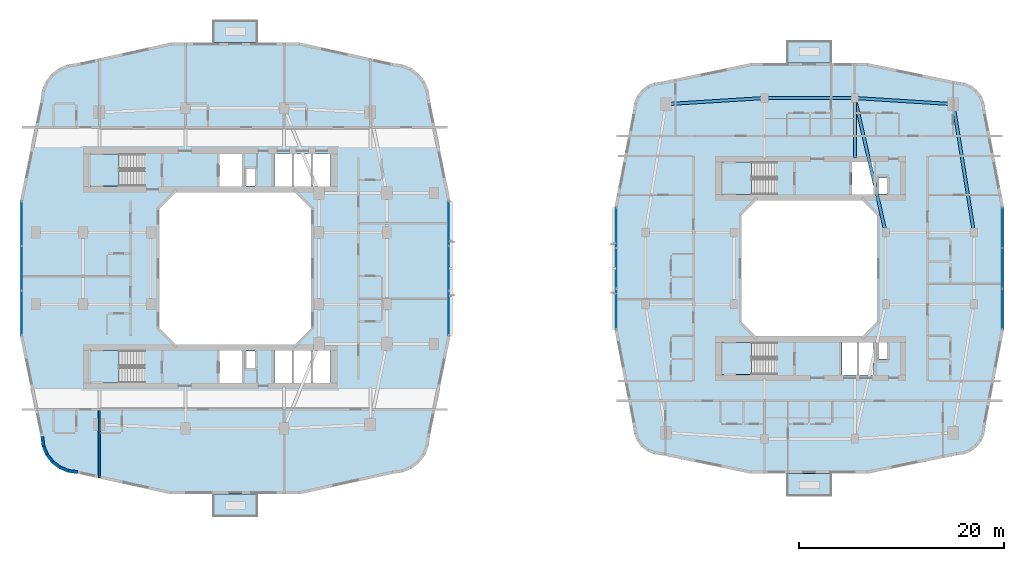
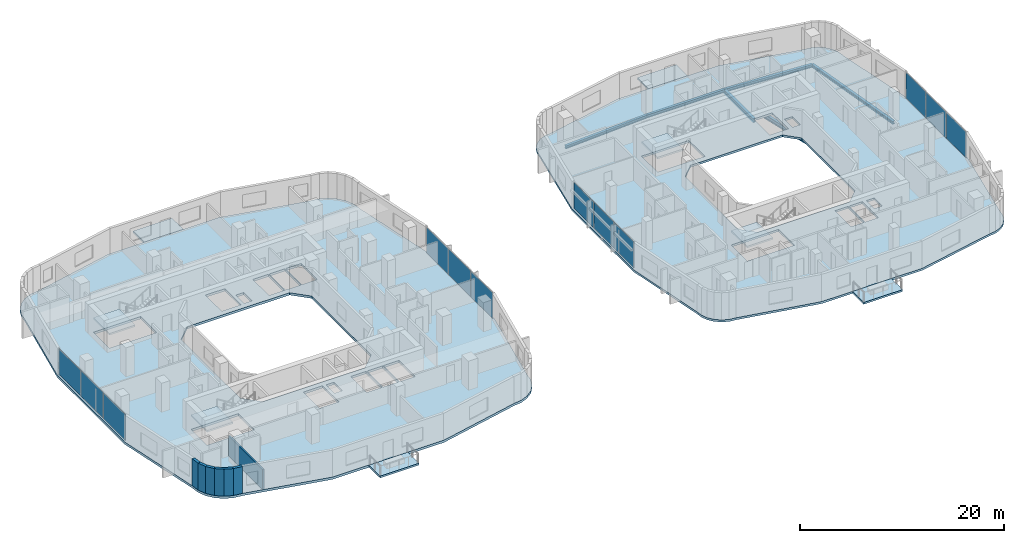
# One storey, part 7 of 22: 12 plates, 10 slabs, 7 walls, 6 beams, 8 elements without a shape of their own.
"""IFC4 building model written with IfcOpenShell, lengths in metres."""

from ifc_helpers import new_model, si_unit, derived_unit, direction, frame, frame_2d, origin, origin_2d, place, context, subcontext, project, spatial, polyline, rectangle, i_section, outline, extrude, material, layer, layer_set, material_profile, profile_set, type_object, element, aggregate, save


model = new_model("IFC4")

# Units and contexts
model_context = context("Model", 3, precision=1e-05, world=origin(), true_north=direction((0.0, 1.0)))
body_context = subcontext(model_context, "Body", "Model", "MODEL_VIEW")
ifc_project = project(units=[si_unit("LENGTHUNIT", "METRE"), si_unit("AREAUNIT", "SQUARE_METRE"), si_unit("VOLUMEUNIT", "CUBIC_METRE"), si_unit("PLANEANGLEUNIT", "RADIAN"), si_unit("MASSUNIT", "GRAM", prefix="KILO"), derived_unit("THERMALTRANSMITTANCEUNIT", [(si_unit("POWERUNIT", "WATT"), 1), (si_unit("LENGTHUNIT", "METRE"), -2), (si_unit("THERMODYNAMICTEMPERATUREUNIT", "KELVIN"), -1)])], contexts=[model_context])

# Site, building, storey
site_placement = place(None, origin())
site = spatial("IfcSite", under=ifc_project, at=site_placement, CompositionType="ELEMENT")
building_placement = place(site_placement, origin())
building = spatial("IfcBuilding", under=site, at=building_placement, Name="Kivonza Crest Hotel", CompositionType="ELEMENT")
storey_placement = place(building_placement, frame((0.0, 0.0, 27.5)))
storey = spatial("IfcBuildingStorey", under=building, at=storey_placement, Name="L06", CompositionType="ELEMENT", Elevation=27.5)

# Beams
ifc_material_1 = material(Name="Steel S355", Category="steel")
ifc_material_profile_1 = material_profile(ifc_material_1, i_section(OverallWidth=0.300048828125, OverallDepth=0.360107421875, WebThickness=0.012451171875, FlangeThickness=0.0224609375, FilletRadius=0.027099609375, at=origin_2d()), Name="HEB 360")
ifc_profile_set_1 = profile_set([ifc_material_profile_1], Name="Steel S355")
beam_type_1 = type_object("IfcBeamType", Name="BM-HEB360", PredefinedType="SPANDREL", material=ifc_profile_set_1)
beam_1_placement = place(storey_placement, frame((93.0, 28.5, -0.429931640625), z_axis=(-0.157990501107, 0.987440631917, 0.0), x_axis=(-0.987440631917, -0.157990501107, 0.0)))
element("IfcBeam", 1, at=beam_1_placement, inside=storey, type_object=beam_type_1, Name="Companion Tower T2 L06 perimeter spandrel E2-NE", PredefinedType="SPANDREL", context=body_context, shape_type="SweptSolid", body=[
    extrude(i_section(OverallWidth=0.300048828125, OverallDepth=0.360107421875, WebThickness=0.012451171875, FlangeThickness=0.0224609375, FilletRadius=0.027099609375, at=origin_2d()), origin(), (0.0, 0.0, 1.0), 12.658935546875),
])
beam_2_placement = place(storey_placement, frame((91.0, 41.0, -0.429931640625), z_axis=(-0.998051985873, 0.062387767186, 0.0), x_axis=(-0.062387767186, -0.998051985873, 0.0)))
element("IfcBeam", 2, at=beam_2_placement, inside=storey, type_object=beam_type_1, Name="Companion Tower T2 L06 perimeter spandrel NE-N2", PredefinedType="SPANDREL", context=body_context, shape_type="SweptSolid", body=[
    extrude(i_section(OverallWidth=0.300048828125, OverallDepth=0.360107421875, WebThickness=0.012451171875, FlangeThickness=0.0224609375, FilletRadius=0.027099609375, at=origin_2d()), origin(), (0.0, 0.0, 1.0), 9.618896484375),
])
beam_3_placement = place(storey_placement, frame((81.39990234375, 41.60009765625, -0.429931640625), z_axis=(-1.0, 0.0, 0.0), x_axis=(0.0, -1.0, 0.0)))
element("IfcBeam", 3, at=beam_3_placement, inside=storey, type_object=beam_type_1, Name="Companion Tower T2 L06 perimeter spandrel N2-N1", PredefinedType="SPANDREL", context=body_context, shape_type="SweptSolid", body=[
    extrude(i_section(OverallWidth=0.300048828125, OverallDepth=0.360107421875, WebThickness=0.012451171875, FlangeThickness=0.0224609375, FilletRadius=0.027099609375, at=origin_2d()), origin(), (0.0, 0.0, 1.0), 8.7998046875),
])
beam_4_placement = place(storey_placement, frame((72.60009765625, 41.60009765625, -0.429931640625), z_axis=(-0.998051985873, -0.062387767186, 0.0), x_axis=(0.062387767186, -0.998051985873, 0.0)))
element("IfcBeam", 4, at=beam_4_placement, inside=storey, type_object=beam_type_1, Name="Companion Tower T2 L06 perimeter spandrel N1-NW", PredefinedType="SPANDREL", context=body_context, shape_type="SweptSolid", body=[
    extrude(i_section(OverallWidth=0.300048828125, OverallDepth=0.360107421875, WebThickness=0.012451171875, FlangeThickness=0.0224609375, FilletRadius=0.027099609375, at=origin_2d()), origin(), (0.0, 0.0, 1.0), 9.618896484375),
])
ifc_material_profile_2 = material_profile(ifc_material_1, i_section(OverallWidth=0.300048828125, OverallDepth=0.5, WebThickness=0.014404296875, FlangeThickness=0.028076171875, FilletRadius=0.027099609375, at=origin_2d()), Name="HEB 500")
ifc_profile_set_2 = profile_set([ifc_material_profile_2], Name="Steel S355")
beam_type_2 = type_object("IfcBeamType", Name="BM-HEB500", PredefinedType="BEAM", material=ifc_profile_set_2)
beam_5_placement = place(storey_placement, frame((84.39990234375, 28.5, -0.5), z_axis=(-0.223227287589, 0.974766422317, 0.0), x_axis=(-0.974766422317, -0.223227287589, 0.0)))
element("IfcBeam", 5, at=beam_5_placement, inside=storey, type_object=beam_type_2, Name="Companion Tower T2 L06 girder WR2-N2", PredefinedType="BEAM", context=body_context, shape_type="SweptSolid", body=[
    extrude(i_section(OverallWidth=0.300048828125, OverallDepth=0.5, WebThickness=0.014404296875, FlangeThickness=0.028076171875, FilletRadius=0.027099609375, at=origin_2d()), origin(), (0.0, 0.0, 1.0), 13.439208984375),
])
beam_6_placement = place(storey_placement, frame((81.39990234375, 41.60009765625, -0.5), z_axis=(0.0, -1.0, 0.0), x_axis=(1.0, 0.0, 0.0)))
element("IfcBeam", 6, at=beam_6_placement, inside=storey, type_object=beam_type_2, Name="Companion T2 L06 radial core girder RN2", PredefinedType="BEAM", context=body_context, shape_type="SweptSolid", body=[
    extrude(i_section(OverallWidth=0.300048828125, OverallDepth=0.5, WebThickness=0.014404296875, FlangeThickness=0.028076171875, FilletRadius=0.027099609375, at=origin_2d()), origin(), (0.0, 0.0, 1.0), 5.85009765625),
])

# Curtain wall, plates
ifc_material_2 = material(Name="Anodised bronze aluminium and low-E double glazing", Category="aluminium")
ifc_layer_1 = layer(ifc_material_2, 0.179931640625)
ifc_layer_set_1 = layer_set([ifc_layer_1], Name="Anodised bronze aluminium and low-E double glazing")
curtain_wall_type_1 = type_object("IfcCurtainWallType", Name="CW-SYS-2", PredefinedType="NOTDEFINED", material=ifc_layer_set_1)
curtain_wall_1_placement = place(storey_placement, origin())
curtain_wall_1 = element("IfcCurtainWall", 7, at=curtain_wall_1_placement, inside=storey, type_object=curtain_wall_type_1, Name="L06 unitised curtain wall CW-T1-L06-17", PredefinedType="NOTDEFINED")
ifc_material_3 = material(Name="Solar-control low-E double glazing", Category="glass")
ifc_layer_2 = layer(ifc_material_3, 0.028076171875)
ifc_layer_set_2 = layer_set([ifc_layer_2], Name="Solar-control low-E double glazing")
plate_type = type_object("IfcPlateType", Name="CW-PNL-28", PredefinedType="CURTAIN_PANEL", material=ifc_layer_set_2)
plate_1_placement = place(storey_placement, frame((41.840087890625, 20.642822265625, 0.06494140625), z_axis=(0.0, 0.0, 1.0), x_axis=(0.0, 1.0, 0.0)))
plate_1 = element("IfcPlate", 8, at=plate_1_placement, type_object=plate_type, Name="CW-2 panel 1.1", PredefinedType="CURTAIN_PANEL", context=body_context, shape_type="SweptSolid", body=[
    extrude(rectangle(XDim=4.27587890625, YDim=0.028076171875, at=origin_2d()), origin(), (0.0, 0.0, 1.0), 3.090087890625),
])
plate_2_placement = place(storey_placement, frame((41.840087890625, 25.0, 0.06494140625), z_axis=(0.0, 0.0, 1.0), x_axis=(0.0, 1.0, 0.0)))
plate_2 = element("IfcPlate", 9, at=plate_2_placement, type_object=plate_type, Name="CW-2 panel 2.1", PredefinedType="CURTAIN_PANEL", context=body_context, shape_type="SweptSolid", body=[
    extrude(rectangle(XDim=4.308349609375, YDim=0.028076171875, at=origin_2d()), origin(), (0.0, 0.0, 1.0), 3.090087890625),
])
plate_3_placement = place(storey_placement, frame((41.840087890625, 29.357177734375, 0.06494140625), z_axis=(0.0, 0.0, 1.0), x_axis=(0.0, 1.0, 0.0)))
plate_3 = element("IfcPlate", 10, at=plate_3_placement, type_object=plate_type, Name="CW-2 panel 3.1", PredefinedType="CURTAIN_PANEL", context=body_context, shape_type="SweptSolid", body=[
    extrude(rectangle(XDim=4.27587890625, YDim=0.028076171875, at=origin_2d()), origin(), (0.0, 0.0, 1.0), 3.090087890625),
])
aggregate(curtain_wall_1, [plate_1, plate_2, plate_3])

curtain_wall_2_placement = place(storey_placement, origin())
curtain_wall_2 = element("IfcCurtainWall", 11, at=curtain_wall_2_placement, inside=storey, type_object=curtain_wall_type_1, Name="L06 unitised curtain wall CW-T1-L06-35", PredefinedType="NOTDEFINED")
plate_4_placement = place(storey_placement, frame((0.239990234375, 29.357177734375, 0.06494140625), z_axis=(0.0, 0.0, 1.0), x_axis=(0.0, -1.0, 0.0)))
plate_4 = element("IfcPlate", 12, at=plate_4_placement, type_object=plate_type, Name="CW-2 panel 1.1", PredefinedType="CURTAIN_PANEL", context=body_context, shape_type="SweptSolid", body=[
    extrude(rectangle(XDim=4.27587890625, YDim=0.028076171875, at=origin_2d()), origin(), (0.0, 0.0, 1.0), 3.090087890625),
])
plate_5_placement = place(storey_placement, frame((0.239990234375, 25.0, 0.06494140625), z_axis=(0.0, 0.0, 1.0), x_axis=(0.0, -1.0, 0.0)))
plate_5 = element("IfcPlate", 13, at=plate_5_placement, type_object=plate_type, Name="CW-2 panel 2.1", PredefinedType="CURTAIN_PANEL", context=body_context, shape_type="SweptSolid", body=[
    extrude(rectangle(XDim=4.308349609375, YDim=0.028076171875, at=origin_2d()), origin(), (0.0, 0.0, 1.0), 3.090087890625),
])
plate_6_placement = place(storey_placement, frame((0.239990234375, 20.642822265625, 0.06494140625), z_axis=(0.0, 0.0, 1.0), x_axis=(0.0, -1.0, 0.0)))
plate_6 = element("IfcPlate", 14, at=plate_6_placement, type_object=plate_type, Name="CW-2 panel 3.1", PredefinedType="CURTAIN_PANEL", context=body_context, shape_type="SweptSolid", body=[
    extrude(rectangle(XDim=4.27587890625, YDim=0.028076171875, at=origin_2d()), origin(), (0.0, 0.0, 1.0), 3.090087890625),
])
aggregate(curtain_wall_2, [plate_4, plate_5, plate_6])

ifc_layer_3 = layer(ifc_material_2, 0.179931640625)
ifc_layer_set_3 = layer_set([ifc_layer_3], Name="Anodised bronze aluminium and low-E double glazing")
curtain_wall_type_2 = type_object("IfcCurtainWallType", Name="CW-SYS-4", PredefinedType="NOTDEFINED", material=ifc_layer_set_3)
curtain_wall_3_placement = place(storey_placement, origin())
curtain_wall_3 = element("IfcCurtainWall", 15, at=curtain_wall_3_placement, inside=storey, type_object=curtain_wall_type_2, Name="L06 unitised curtain wall CW-T2-L06-17", PredefinedType="NOTDEFINED")
plate_7_placement = place(storey_placement, frame((95.760009765625, 21.04296875, 0.06494140625), z_axis=(0.0, 0.0, 1.0), x_axis=(0.0, 1.0, 0.0)))
plate_7 = element("IfcPlate", 16, at=plate_7_placement, type_object=plate_type, Name="CW-4 panel 1.1", PredefinedType="CURTAIN_PANEL", context=body_context, shape_type="SweptSolid", body=[
    extrude(rectangle(XDim=3.875732421875, YDim=0.028076171875, at=origin_2d()), origin(), (0.0, 0.0, 1.0), 3.1201171875),
])
plate_8_placement = place(storey_placement, frame((95.760009765625, 25.0, 0.06494140625), z_axis=(0.0, 0.0, 1.0), x_axis=(0.0, 1.0, 0.0)))
plate_8 = element("IfcPlate", 17, at=plate_8_placement, type_object=plate_type, Name="CW-4 panel 2.1", PredefinedType="CURTAIN_PANEL", context=body_context, shape_type="SweptSolid", body=[
    extrude(rectangle(XDim=3.908447265625, YDim=0.028076171875, at=origin_2d()), origin(), (0.0, 0.0, 1.0), 3.1201171875),
])
plate_9_placement = place(storey_placement, frame((95.760009765625, 28.95703125, 0.06494140625), z_axis=(0.0, 0.0, 1.0), x_axis=(0.0, 1.0, 0.0)))
plate_9 = element("IfcPlate", 18, at=plate_9_placement, type_object=plate_type, Name="CW-4 panel 3.1", PredefinedType="CURTAIN_PANEL", context=body_context, shape_type="SweptSolid", body=[
    extrude(rectangle(XDim=3.875732421875, YDim=0.028076171875, at=origin_2d()), origin(), (0.0, 0.0, 1.0), 3.1201171875),
])
aggregate(curtain_wall_3, [plate_7, plate_8, plate_9])

curtain_wall_4_placement = place(storey_placement, origin())
curtain_wall_4 = element("IfcCurtainWall", 19, at=curtain_wall_4_placement, inside=storey, type_object=curtain_wall_type_2, Name="L06 unitised curtain wall CW-T2-L06-35", PredefinedType="NOTDEFINED")
plate_10_placement = place(storey_placement, frame((58.159912109375, 28.95703125, 0.06494140625), z_axis=(0.0, 0.0, 1.0), x_axis=(0.0, -1.0, 0.0)))
plate_10 = element("IfcPlate", 20, at=plate_10_placement, type_object=plate_type, Name="CW-4 panel 1.1", PredefinedType="CURTAIN_PANEL", context=body_context, shape_type="SweptSolid", body=[
    extrude(rectangle(XDim=3.875732421875, YDim=0.028076171875, at=origin_2d()), origin(), (0.0, 0.0, 1.0), 3.1201171875),
])
plate_11_placement = place(storey_placement, frame((58.159912109375, 25.0, 0.06494140625), z_axis=(0.0, 0.0, 1.0), x_axis=(0.0, -1.0, 0.0)))
plate_11 = element("IfcPlate", 21, at=plate_11_placement, type_object=plate_type, Name="CW-4 panel 2.1", PredefinedType="CURTAIN_PANEL", context=body_context, shape_type="SweptSolid", body=[
    extrude(rectangle(XDim=3.908447265625, YDim=0.028076171875, at=origin_2d()), origin(), (0.0, 0.0, 1.0), 3.1201171875),
])
plate_12_placement = place(storey_placement, frame((58.159912109375, 21.04296875, 0.06494140625), z_axis=(0.0, 0.0, 1.0), x_axis=(0.0, -1.0, 0.0)))
plate_12 = element("IfcPlate", 22, at=plate_12_placement, type_object=plate_type, Name="CW-4 panel 3.1", PredefinedType="CURTAIN_PANEL", context=body_context, shape_type="SweptSolid", body=[
    extrude(rectangle(XDim=3.875732421875, YDim=0.028076171875, at=origin_2d()), origin(), (0.0, 0.0, 1.0), 3.1201171875),
])
aggregate(curtain_wall_4, [plate_10, plate_11, plate_12])

# Slab
ifc_material_4 = material(Name="Concrete C40/50", Category="concrete")
ifc_layer_4 = layer(ifc_material_4, 0.280029296875)
ifc_layer_set_4 = layer_set([ifc_layer_4], Name="Concrete C40/50")
slab_type_1 = type_object("IfcSlabType", Name="SL-HTL-280", PredefinedType="FLOOR", material=ifc_layer_set_4)
slab_1_placement = place(storey_placement, frame((0.0, 0.0, -0.280029296875)))
element("IfcSlab", 23, at=slab_1_placement, inside=storey, type_object=slab_type_1, Name="Tower T1 L06 floor slab", PredefinedType="FLOOR", context=body_context, shape_type="SweptSolid", body=[
    extrude(outline(polyline([(2.080078125, 8.60009765625), (2.202880859375, 7.66796875), (2.56201171875, 6.800048828125), (3.134033203125, 6.053955078125), (3.8798828125, 5.48193359375), (4.748046875, 5.123046875), (5.679931640625, 5.0), (14.751953125, 3.0), (27.327880859375, 3.0), (36.39990234375, 5.0), (37.33203125, 5.123046875), (38.199951171875, 5.48193359375), (38.946044921875, 6.053955078125), (39.51806640625, 6.800048828125), (39.876953125, 7.66796875), (40.0, 8.60009765625), (42.0, 18.39990234375), (42.0, 31.60009765625), (40.0, 41.39990234375), (39.876953125, 42.33203125), (39.51806640625, 43.199951171875), (38.946044921875, 43.946044921875), (38.199951171875, 44.51806640625), (37.33203125, 44.876953125), (36.39990234375, 45.0), (27.327880859375, 47.0), (14.751953125, 47.0), (5.679931640625, 45.0), (4.748046875, 44.876953125), (3.8798828125, 44.51806640625), (3.134033203125, 43.946044921875), (2.56201171875, 43.199951171875), (2.202880859375, 42.33203125), (2.080078125, 41.39990234375), (0.080078125, 31.60009765625), (0.080078125, 18.39990234375), (2.080078125, 8.60009765625)]), holes=[polyline([(15.239990234375, 17.60009765625), (26.840087890625, 17.60009765625), (28.43994140625, 19.199951171875), (28.43994140625, 30.800048828125), (26.840087890625, 32.39990234375), (15.239990234375, 32.39990234375), (13.639892578125, 30.800048828125), (13.639892578125, 19.199951171875), (15.239990234375, 17.60009765625)]), polyline([(6.800048828125, 33.02001953125), (12.159912109375, 33.02001953125), (12.159912109375, 36.159912109375), (6.800048828125, 36.159912109375), (6.800048828125, 33.02001953125)]), polyline([(6.800048828125, 13.860107421875), (12.159912109375, 13.860107421875), (12.159912109375, 17.0), (6.800048828125, 17.0), (6.800048828125, 13.860107421875)]), polyline([(22.080078125, 33.0400390625), (22.969970703125, 33.0400390625), (22.969970703125, 34.679931640625), (22.080078125, 34.679931640625), (22.080078125, 33.0400390625)]), polyline([(22.080078125, 15.320068359375), (22.969970703125, 15.320068359375), (22.969970703125, 16.9599609375), (22.080078125, 16.9599609375), (22.080078125, 15.320068359375)]), polyline([(19.5, 33.0), (21.699951171875, 33.0), (21.699951171875, 36.159912109375), (19.5, 36.159912109375), (19.5, 33.0)]), polyline([(24.860107421875, 33.0), (26.60693359375, 33.0), (26.60693359375, 36.159912109375), (24.860107421875, 36.159912109375), (24.860107421875, 33.0)]), polyline([(26.72705078125, 33.0), (28.472900390625, 33.0), (28.472900390625, 36.159912109375), (26.72705078125, 36.159912109375), (26.72705078125, 33.0)]), polyline([(28.593017578125, 33.0), (30.340087890625, 33.0), (30.340087890625, 36.159912109375), (28.593017578125, 36.159912109375), (28.593017578125, 33.0)]), polyline([(19.5, 13.840087890625), (21.699951171875, 13.840087890625), (21.699951171875, 17.0), (19.5, 17.0), (19.5, 13.840087890625)]), polyline([(24.860107421875, 13.840087890625), (26.60693359375, 13.840087890625), (26.60693359375, 17.0), (24.860107421875, 17.0), (24.860107421875, 13.840087890625)]), polyline([(26.72705078125, 13.840087890625), (28.472900390625, 13.840087890625), (28.472900390625, 17.0), (26.72705078125, 17.0), (26.72705078125, 13.840087890625)]), polyline([(28.593017578125, 13.840087890625), (30.340087890625, 13.840087890625), (30.340087890625, 17.0), (28.593017578125, 17.0), (28.593017578125, 13.840087890625)])]), origin(), (0.0, 0.0, 1.0), 0.280029296875),
])

# Stair, slab
stair_type = type_object("IfcStairType", Name="ST-DL-20R", PredefinedType="HALF_TURN_STAIR", material=ifc_material_4)
stair_1_placement = place(storey_placement, origin())
stair_1 = element("IfcStair", 24, at=stair_1_placement, inside=storey, type_object=stair_type, Name="L06 Protected Exit Stair ST-T1-N", PredefinedType="HALF_TURN_STAIR")
ifc_layer_5 = layer(ifc_material_4, 0.199951171875)
ifc_layer_set_5 = layer_set([ifc_layer_5], Name="Concrete C40/50")
slab_type_2 = type_object("IfcSlabType", Name="SL-LAND-200", PredefinedType="LANDING", material=ifc_layer_set_5)
slab_2_placement = place(storey_placement, frame((0.0, 0.0, 1.550048828125)))
slab_2 = element("IfcSlab", 25, at=slab_2_placement, type_object=slab_type_2, Name="ST-T1-N landing 1", PredefinedType="LANDING", context=body_context, shape_type="SweptSolid", body=[
    extrude(outline(polyline([(9.719970703125, 36.159912109375), (6.800048828125, 36.159912109375), (6.800048828125, 33.02001953125), (9.719970703125, 33.02001953125), (9.719970703125, 36.159912109375)])), origin(), (0.0, 0.0, 1.0), 0.199951171875),
])
aggregate(stair_1, [slab_2])

stair_2_placement = place(storey_placement, origin())
stair_2 = element("IfcStair", 26, at=stair_2_placement, inside=storey, type_object=stair_type, Name="L06 Protected Exit Stair ST-T1-S", PredefinedType="HALF_TURN_STAIR")
slab_3_placement = place(storey_placement, frame((0.0, 0.0, 1.550048828125)))
slab_3 = element("IfcSlab", 27, at=slab_3_placement, type_object=slab_type_2, Name="ST-T1-S landing 1", PredefinedType="LANDING", context=body_context, shape_type="SweptSolid", body=[
    extrude(outline(polyline([(9.719970703125, 17.0), (6.800048828125, 17.0), (6.800048828125, 13.860107421875), (9.719970703125, 13.860107421875), (9.719970703125, 17.0)])), origin(), (0.0, 0.0, 1.0), 0.199951171875),
])
aggregate(stair_2, [slab_3])

stair_3_placement = place(storey_placement, origin())
stair_3 = element("IfcStair", 28, at=stair_3_placement, inside=storey, type_object=stair_type, Name="L06 Protected Exit Stair ST-T2-N", PredefinedType="HALF_TURN_STAIR")
slab_4_placement = place(storey_placement, frame((0.0, 0.0, 1.550048828125)))
slab_4 = element("IfcSlab", 29, at=slab_4_placement, type_object=slab_type_2, Name="ST-T2-N landing 1", PredefinedType="LANDING", context=body_context, shape_type="SweptSolid", body=[
    extrude(outline(polyline([(71.320068359375, 35.360107421875), (68.39990234375, 35.360107421875), (68.39990234375, 32.219970703125), (71.320068359375, 32.219970703125), (71.320068359375, 35.360107421875)])), origin(), (0.0, 0.0, 1.0), 0.199951171875),
])
aggregate(stair_3, [slab_4])

stair_4_placement = place(storey_placement, origin())
stair_4 = element("IfcStair", 30, at=stair_4_placement, inside=storey, type_object=stair_type, Name="L06 Protected Exit Stair ST-T2-S", PredefinedType="HALF_TURN_STAIR")
slab_5_placement = place(storey_placement, frame((0.0, 0.0, 1.550048828125)))
slab_5 = element("IfcSlab", 31, at=slab_5_placement, type_object=slab_type_2, Name="ST-T2-S landing 1", PredefinedType="LANDING", context=body_context, shape_type="SweptSolid", body=[
    extrude(outline(polyline([(71.320068359375, 17.800048828125), (68.39990234375, 17.800048828125), (68.39990234375, 14.659912109375), (71.320068359375, 14.659912109375), (71.320068359375, 17.800048828125)])), origin(), (0.0, 0.0, 1.0), 0.199951171875),
])
aggregate(stair_4, [slab_5])

# Slabs
ifc_layer_6 = layer(ifc_material_4, 0.25)
ifc_layer_set_6 = layer_set([ifc_layer_6], Name="Concrete C40/50")
slab_type_3 = type_object("IfcSlabType", Name="SL-RES-250", PredefinedType="FLOOR", material=ifc_layer_set_6)
slab_6_placement = place(storey_placement, frame((0.0, 0.0, -0.25)))
element("IfcSlab", 32, at=slab_6_placement, inside=storey, type_object=slab_type_3, Name="Companion Tower T2 L06 floor slab", PredefinedType="FLOOR", context=body_context, shape_type="SweptSolid", body=[
    extrude(outline(polyline([(59.800048828125, 9.60009765625), (59.89501953125, 8.875), (60.175048828125, 8.199951171875), (60.6201171875, 7.6201171875), (61.199951171875, 7.175048828125), (61.875, 6.89501953125), (62.60009765625, 6.800048828125), (71.27197265625, 5.0), (82.64794921875, 5.0), (91.320068359375, 6.800048828125), (92.044921875, 6.89501953125), (92.719970703125, 7.175048828125), (93.300048828125, 7.6201171875), (93.7451171875, 8.199951171875), (94.02490234375, 8.875), (94.1201171875, 9.60009765625), (95.919921875, 19.0), (95.919921875, 31.0), (94.1201171875, 40.39990234375), (94.02490234375, 41.125), (93.7451171875, 41.800048828125), (93.300048828125, 42.3798828125), (92.719970703125, 42.824951171875), (92.044921875, 43.10498046875), (91.320068359375, 43.199951171875), (82.64794921875, 45.0), (71.27197265625, 45.0), (62.60009765625, 43.199951171875), (61.875, 43.10498046875), (61.199951171875, 42.824951171875), (60.6201171875, 42.3798828125), (60.175048828125, 41.800048828125), (59.89501953125, 41.125), (59.800048828125, 40.39990234375), (58.0, 31.0), (58.0, 19.0), (59.800048828125, 9.60009765625)]), holes=[polyline([(71.760009765625, 18.39990234375), (82.159912109375, 18.39990234375), (83.56005859375, 19.800048828125), (83.56005859375, 30.199951171875), (82.159912109375, 31.60009765625), (71.760009765625, 31.60009765625), (70.360107421875, 30.199951171875), (70.360107421875, 19.800048828125), (71.760009765625, 18.39990234375)]), polyline([(68.39990234375, 32.219970703125), (73.760009765625, 32.219970703125), (73.760009765625, 35.360107421875), (68.39990234375, 35.360107421875), (68.39990234375, 32.219970703125)]), polyline([(68.39990234375, 14.659912109375), (73.760009765625, 14.659912109375), (73.760009765625, 17.800048828125), (68.39990234375, 17.800048828125), (68.39990234375, 14.659912109375)]), polyline([(83.679931640625, 32.239990234375), (84.570068359375, 32.239990234375), (84.570068359375, 33.820068359375), (83.679931640625, 33.820068359375), (83.679931640625, 32.239990234375)]), polyline([(83.679931640625, 16.179931640625), (84.570068359375, 16.179931640625), (84.570068359375, 17.760009765625), (83.679931640625, 17.760009765625), (83.679931640625, 16.179931640625)]), polyline([(81.10009765625, 32.199951171875), (83.199951171875, 32.199951171875), (83.199951171875, 35.360107421875), (81.10009765625, 35.360107421875), (81.10009765625, 32.199951171875)]), polyline([(80.159912109375, 14.639892578125), (81.639892578125, 14.639892578125), (81.639892578125, 17.800048828125), (80.159912109375, 17.800048828125), (80.159912109375, 14.639892578125)]), polyline([(81.760009765625, 14.639892578125), (83.239990234375, 14.639892578125), (83.239990234375, 17.800048828125), (81.760009765625, 17.800048828125), (81.760009765625, 14.639892578125)])]), origin(), (0.0, 0.0, 1.0), 0.25),
])
ifc_layer_7 = layer(ifc_material_4, 0.219970703125)
ifc_layer_set_7 = layer_set([ifc_layer_7], Name="Concrete C40/50")
slab_type_4 = type_object("IfcSlabType", Name="SL-SKYG-220", PredefinedType="FLOOR", material=ifc_layer_set_7)
slab_7_placement = place(storey_placement, frame((0.0, 0.0, -0.219970703125)))
element("IfcSlab", 33, at=slab_7_placement, inside=storey, type_object=slab_type_4, Name="Tower T1 L06 SW planted sky-garden bridge", PredefinedType="FLOOR", context=body_context, shape_type="SweptSolid", body=[
    extrude(outline(polyline([(18.840087890625, 0.800048828125), (23.239990234375, 0.800048828125), (23.239990234375, 3.0), (18.840087890625, 3.0), (18.840087890625, 0.800048828125)])), origin(), (0.0, 0.0, 1.0), 0.219970703125),
])
slab_8_placement = place(storey_placement, frame((0.0, 0.0, -0.219970703125)))
element("IfcSlab", 34, at=slab_8_placement, inside=storey, type_object=slab_type_4, Name="Tower T1 L06 NE planted sky-garden bridge", PredefinedType="FLOOR", context=body_context, shape_type="SweptSolid", body=[
    extrude(outline(polyline([(18.840087890625, 47.0), (23.239990234375, 47.0), (23.239990234375, 49.199951171875), (18.840087890625, 49.199951171875), (18.840087890625, 47.0)])), origin(), (0.0, 0.0, 1.0), 0.219970703125),
])
slab_9_placement = place(storey_placement, frame((0.0, 0.0, -0.219970703125)))
element("IfcSlab", 35, at=slab_9_placement, inside=storey, type_object=slab_type_4, Name="Companion Tower T2 L06 SW planted sky-garden bridge", PredefinedType="FLOOR", context=body_context, shape_type="SweptSolid", body=[
    extrude(outline(polyline([(74.760009765625, 2.800048828125), (79.159912109375, 2.800048828125), (79.159912109375, 5.0), (74.760009765625, 5.0), (74.760009765625, 2.800048828125)])), origin(), (0.0, 0.0, 1.0), 0.219970703125),
])
slab_10_placement = place(storey_placement, frame((0.0, 0.0, -0.219970703125)))
element("IfcSlab", 36, at=slab_10_placement, inside=storey, type_object=slab_type_4, Name="Companion Tower T2 L06 NE planted sky-garden bridge", PredefinedType="FLOOR", context=body_context, shape_type="SweptSolid", body=[
    extrude(outline(polyline([(74.760009765625, 45.0), (79.159912109375, 45.0), (79.159912109375, 47.199951171875), (74.760009765625, 47.199951171875), (74.760009765625, 45.0)])), origin(), (0.0, 0.0, 1.0), 0.219970703125),
])

# Walls
ifc_material_5 = material(Name="High-density acoustic masonry inter-tenancy wall", Category="masonry")
ifc_layer_8 = layer(ifc_material_5, 0.179931640625)
ifc_layer_set_8 = layer_set([ifc_layer_8], Name="High-density acoustic masonry inter-tenancy wall")
wall_type_1 = type_object("IfcWallType", Name="WL-ACOU-180", PredefinedType="SOLIDWALL", material=ifc_layer_set_8)
wall_1_placement = place(storey_placement, frame((7.800048828125, 4.593994140625, 0.0), z_axis=(0.0, 0.0, 1.0), x_axis=(0.0, 1.0, 0.0)))
element("IfcWall", 37, at=wall_1_placement, inside=storey, type_object=wall_type_1, Name="L06 interior partition WA-L06-T1S-DIV1", PredefinedType="SOLIDWALL", context=body_context, shape_type="SweptSolid", body=[
    extrude(rectangle(XDim=6.656005859375, YDim=0.179931640625, at=frame_2d((3.328125, 0.0))), origin(), (0.0, 0.0, 1.0), 2.39501953125),
])
ifc_material_6 = material(Name="Precast concrete C40/50", Category="concrete")
ifc_layer_9 = layer(ifc_material_6, 0.300048828125)
ifc_layer_set_9 = layer_set([ifc_layer_9], Name="Precast concrete C40/50")
wall_type_2 = type_object("IfcWallType", Name="WL-EXT-300", PredefinedType="STANDARD", material=ifc_layer_set_9)
wall_2_placement = place(storey_placement, frame((2.22802734375, 8.6279296875, 0.0), z_axis=(0.0, 0.0, 1.0), x_axis=(0.131174864804, -0.991359246108, 0.0)))
element("IfcWall", 38, at=wall_2_placement, inside=storey, type_object=wall_type_2, Name="L06 T1 exterior insulated wall 1", PredefinedType="STANDARD", context=body_context, shape_type="SweptSolid", body=[
    extrude(rectangle(XDim=0.93798828125, YDim=0.300048828125, at=frame_2d((0.468994140625, 0.0))), origin(), (0.0, 0.0, 1.0), 3.219970703125),
])
wall_3_placement = place(storey_placement, frame((2.33203125, 7.748046875, 0.0), z_axis=(0.0, 0.0, 1.0), x_axis=(0.382344263057, -0.924019948111, 0.0)))
element("IfcWall", 39, at=wall_3_placement, inside=storey, type_object=wall_type_2, Name="L06 T1 exterior insulated wall 2", PredefinedType="STANDARD", context=body_context, shape_type="SweptSolid", body=[
    extrude(rectangle(XDim=0.95458984375, YDim=0.300048828125, at=frame_2d((0.477294921875, 0.0))), origin(), (0.0, 0.0, 1.0), 3.219970703125),
])
for number, where, z_axis, x_axis, name in (
    (40, (2.666015625, 6.910888671875, 0.0), (0.0, 0.0, 1.0), (0.608474481025, -0.793573440799, 0.0), "L06 T1 exterior insulated wall 3"),
    (41, (3.205078125, 6.18798828125, 0.0), (0.0, 0.0, 1.0), (0.793573440799, -0.608474481025, 0.0), "L06 T1 exterior insulated wall 4"),
):
    element("IfcWall", number, at=place(storey_placement, frame(where, z_axis=z_axis, x_axis=x_axis)), inside=storey, type_object=wall_type_2, Name=name, PredefinedType="STANDARD", context=body_context, shape_type="SweptSolid", body=[
        extrude(rectangle(XDim=0.954833984375, YDim=0.300048828125, at=frame_2d((0.4775390625, 0.0))), origin(), (0.0, 0.0, 1.0), 3.219970703125),
    ])
wall_4_placement = place(storey_placement, frame((3.9140625, 5.631103515625, 0.0), z_axis=(0.0, 0.0, 1.0), x_axis=(0.923982547689, -0.382434636986, 0.0)))
element("IfcWall", 42, at=wall_4_placement, inside=storey, type_object=wall_type_2, Name="L06 T1 exterior insulated wall 5", PredefinedType="STANDARD", context=body_context, shape_type="SweptSolid", body=[
    extrude(rectangle(XDim=0.954345703125, YDim=0.300048828125, at=frame_2d((0.47705078125, 0.0))), origin(), (0.0, 0.0, 1.0), 3.219970703125),
])
wall_5_placement = place(storey_placement, frame((4.742919921875, 5.27490234375, 0.0), z_axis=(0.0, 0.0, 1.0), x_axis=(0.99145856342, -0.130422072598, 0.0)))
element("IfcWall", 43, at=wall_5_placement, inside=storey, type_object=wall_type_2, Name="L06 T1 exterior insulated wall 6", PredefinedType="STANDARD", context=body_context, shape_type="SweptSolid", body=[
    extrude(rectangle(XDim=0.973388671875, YDim=0.300048828125, at=frame_2d((0.48681640625, 0.0))), origin(), (0.0, 0.0, 1.0), 3.219970703125),
])

save(model, "model.ifc")
